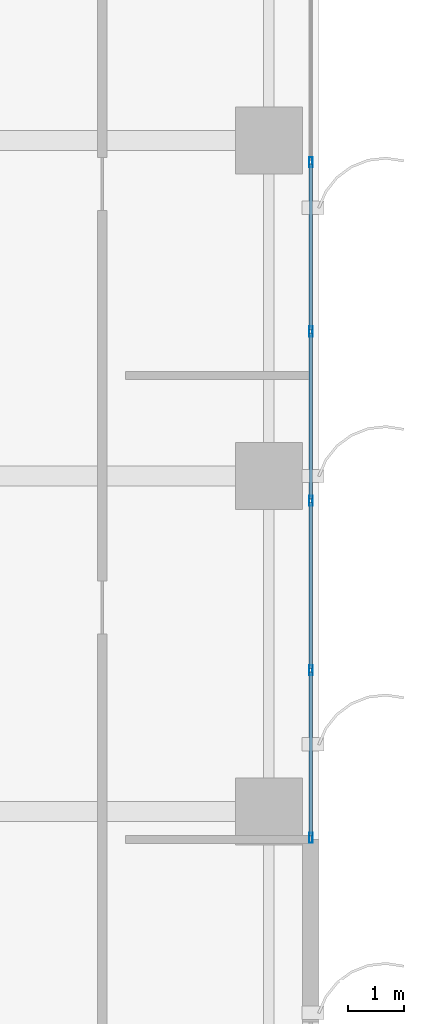
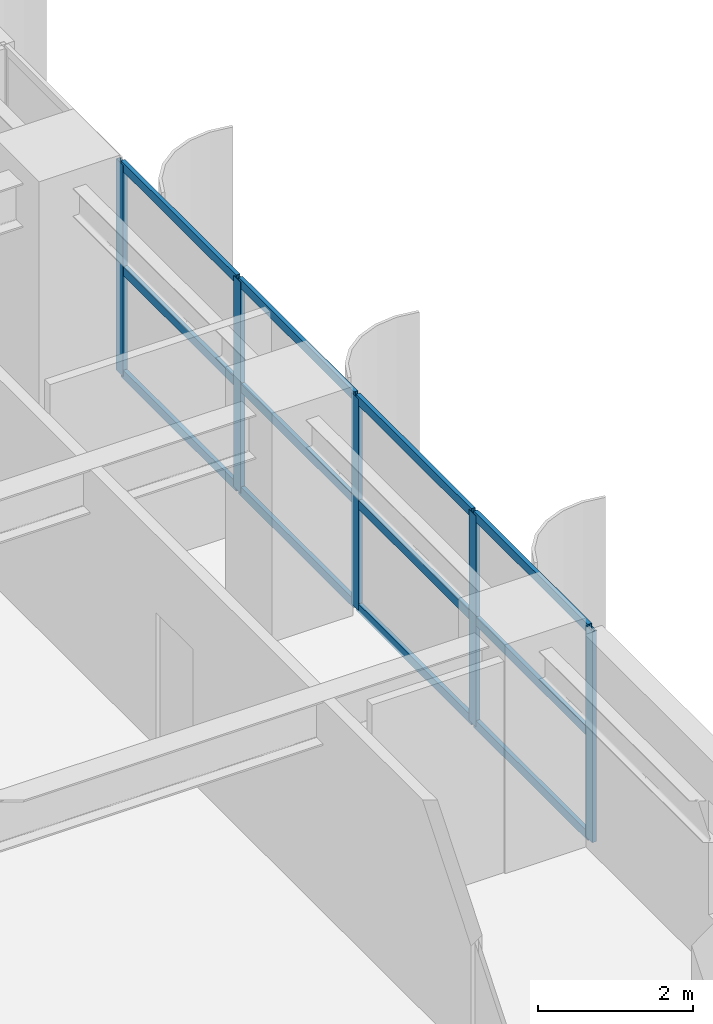
# One storey, part 9 of 25: 17 members, 1 element without a shape of its own.
"""IFC4 building model written with IfcOpenShell, lengths in metres."""

from ifc_helpers import new_model, si_unit, direction, frame, origin, origin_2d, place, context, subcontext, project, spatial, hollow_rectangle, extrude, source, transform, mapped, material, layer, layer_set, material_profile, profile_set, type_object, element, aggregate, save


model = new_model("IFC4")

# Units and contexts
model_context = context("Model", 3, precision=1e-05, world=origin(), true_north=direction((0.0, 1.0)))
body_context = subcontext(model_context, "Body", "Model", "MODEL_VIEW")
ifc_project = project(units=[si_unit("LENGTHUNIT", "METRE"), si_unit("AREAUNIT", "SQUARE_METRE"), si_unit("VOLUMEUNIT", "CUBIC_METRE"), si_unit("PLANEANGLEUNIT", "RADIAN"), si_unit("MASSUNIT", "GRAM", prefix="KILO")], contexts=[model_context])

# Site, building, storey
site_placement = place(None, origin())
site = spatial("IfcSite", under=ifc_project, at=site_placement, CompositionType="ELEMENT")
building_placement = place(site_placement, origin())
building = spatial("IfcBuilding", under=site, at=building_placement, Name="Khoralis Quay Care Tower", CompositionType="ELEMENT")
storey_placement = place(building_placement, frame((0.0, 0.0, 65.699951171875)))
storey = spatial("IfcBuildingStorey", under=building, at=storey_placement, Name="L17", CompositionType="ELEMENT", Elevation=65.699951171875)

# Curtain wall, members
ifc_material = material(Name="Pale anodised aluminium", Category="aluminium")
ifc_layer = layer(ifc_material, 0.179931640625)
ifc_layer_set = layer_set([ifc_layer], Name="Pale anodised aluminium")
curtain_wall_type = type_object("IfcCurtainWallType", Name="CW-SYS-Z1", PredefinedType="NOTDEFINED", material=ifc_layer_set)
curtain_wall_placement = place(storey_placement, origin())
curtain_wall = element("IfcCurtainWall", 1, at=curtain_wall_placement, inside=storey, type_object=curtain_wall_type, Name="L17 Unitised Curtain Wall CW-L17-P1-E5", PredefinedType="NOTDEFINED")
ifc_material_profile_1 = material_profile(ifc_material, hollow_rectangle(XDim=0.06494140625, YDim=0.179931640625, WallThickness=0.00390625, at=origin_2d()), Name="Pale anodised aluminium")
ifc_profile_set_1 = profile_set([ifc_material_profile_1], Name="Pale anodised aluminium")
member_type_1 = type_object("IfcMemberType", Name="CW-MUL-180", PredefinedType="MULLION", material=ifc_profile_set_1)
shared_shape_1 = source(origin(), body_context, "Body", "SweptSolid", [
    extrude(hollow_rectangle(XDim=0.06494140625, YDim=0.179931640625, WallThickness=0.00390625, at=origin_2d()), origin(), (0.0, 0.0, 1.0), 3.320068359375),
])
member_1_placement = place(storey_placement, frame((47.85009765625, 17.530029296875, 0.0), z_axis=(0.0, 0.0, 1.0), x_axis=(-1.0, 0.0, 0.0)))
member_1 = element("IfcMember", 2, at=member_1_placement, type_object=member_type_1, Name="CW1 mullion 1", PredefinedType="MULLION", context=body_context, shape_type="MappedRepresentation", body=[
    mapped(shared_shape_1, transform((0.0, 0.0, 0.0), scale=1.0)),
])
member_2_placement = place(storey_placement, frame((47.85009765625, 20.528076171875, 0.0), z_axis=(0.0, 0.0, 1.0), x_axis=(-1.0, 0.0, 0.0)))
member_2 = element("IfcMember", 3, at=member_2_placement, type_object=member_type_1, Name="CW1 mullion 2", PredefinedType="MULLION", context=body_context, shape_type="MappedRepresentation", body=[
    mapped(shared_shape_1, transform((0.0, 0.0, 0.0), scale=1.0)),
])
member_3_placement = place(storey_placement, frame((47.85009765625, 23.555908203125, 0.0), z_axis=(0.0, 0.0, 1.0), x_axis=(-1.0, 0.0, 0.0)))
member_3 = element("IfcMember", 4, at=member_3_placement, type_object=member_type_1, Name="CW1 mullion 3", PredefinedType="MULLION", context=body_context, shape_type="MappedRepresentation", body=[
    mapped(shared_shape_1, transform((0.0, 0.0, 0.0), scale=1.0)),
])
member_4_placement = place(storey_placement, frame((47.85009765625, 26.583984375, 0.0), z_axis=(0.0, 0.0, 1.0), x_axis=(-1.0, 0.0, 0.0)))
member_4 = element("IfcMember", 5, at=member_4_placement, type_object=member_type_1, Name="CW1 mullion 4", PredefinedType="MULLION", context=body_context, shape_type="MappedRepresentation", body=[
    mapped(shared_shape_1, transform((0.0, 0.0, 0.0), scale=1.0)),
])
member_5_placement = place(storey_placement, frame((47.85009765625, 29.612060546875, 0.0), z_axis=(0.0, 0.0, 1.0), x_axis=(-1.0, 0.0, 0.0)))
member_5 = element("IfcMember", 6, at=member_5_placement, type_object=member_type_1, Name="CW1 mullion 5", PredefinedType="MULLION", context=body_context, shape_type="MappedRepresentation", body=[
    mapped(shared_shape_1, transform((0.0, 0.0, 0.0), scale=1.0)),
])
ifc_material_profile_2 = material_profile(ifc_material, hollow_rectangle(XDim=0.06005859375, YDim=0.139892578125, WallThickness=0.00390625, at=origin_2d()), Name="Pale anodised aluminium")
ifc_profile_set_2 = profile_set([ifc_material_profile_2], Name="Pale anodised aluminium")
member_type_2 = type_object("IfcMemberType", Name="CW-TRN-140", PredefinedType="USERDEFINED", material=ifc_profile_set_2)
shared_shape_2 = source(origin(), body_context, "Body", "SweptSolid", [
    extrude(hollow_rectangle(XDim=0.06005859375, YDim=0.139892578125, WallThickness=0.00390625, at=origin_2d()), origin(), (0.0, 0.0, 1.0), 2.93798828125),
])
member_6_placement = place(storey_placement, frame((47.85009765625, 17.56005859375, 0.030029296875), z_axis=(0.0, 1.0, 0.0), x_axis=(-1.0, 0.0, 0.0)))
member_6 = element("IfcMember", 7, at=member_6_placement, type_object=member_type_2, Name="CW1 transom 1.1", ObjectType="TRANSOM", PredefinedType="USERDEFINED", context=body_context, shape_type="MappedRepresentation", body=[
    mapped(shared_shape_2, transform((0.0, 0.0, 0.0), scale=1.0)),
])
member_7_placement = place(storey_placement, frame((47.85009765625, 17.56005859375, 1.66015625), z_axis=(0.0, 1.0, 0.0), x_axis=(-1.0, 0.0, 0.0)))
member_7 = element("IfcMember", 8, at=member_7_placement, type_object=member_type_2, Name="CW1 transom 1.2", ObjectType="TRANSOM", PredefinedType="USERDEFINED", context=body_context, shape_type="MappedRepresentation", body=[
    mapped(shared_shape_2, transform((0.0, 0.0, 0.0), scale=1.0)),
])
member_8_placement = place(storey_placement, frame((47.85009765625, 17.56005859375, 3.2900390625), z_axis=(0.0, 1.0, 0.0), x_axis=(-1.0, 0.0, 0.0)))
member_8 = element("IfcMember", 9, at=member_8_placement, type_object=member_type_2, Name="CW1 transom 1.3", ObjectType="TRANSOM", PredefinedType="USERDEFINED", context=body_context, shape_type="MappedRepresentation", body=[
    mapped(shared_shape_2, transform((0.0, 0.0, 0.0), scale=1.0)),
])
shared_shape_3 = source(origin(), body_context, "Body", "SweptSolid", [
    extrude(hollow_rectangle(XDim=0.06005859375, YDim=0.139892578125, WallThickness=0.00390625, at=origin_2d()), origin(), (0.0, 0.0, 1.0), 2.9677734375),
])
member_9_placement = place(storey_placement, frame((47.85009765625, 20.55810546875, 0.030029296875), z_axis=(0.0, 1.0, 0.0), x_axis=(-1.0, 0.0, 0.0)))
member_9 = element("IfcMember", 10, at=member_9_placement, type_object=member_type_2, Name="CW1 transom 2.1", ObjectType="TRANSOM", PredefinedType="USERDEFINED", context=body_context, shape_type="MappedRepresentation", body=[
    mapped(shared_shape_3, transform((0.0, 0.0, 0.0), scale=1.0)),
])
member_10_placement = place(storey_placement, frame((47.85009765625, 20.55810546875, 1.66015625), z_axis=(0.0, 1.0, 0.0), x_axis=(-1.0, 0.0, 0.0)))
member_10 = element("IfcMember", 11, at=member_10_placement, type_object=member_type_2, Name="CW1 transom 2.2", ObjectType="TRANSOM", PredefinedType="USERDEFINED", context=body_context, shape_type="MappedRepresentation", body=[
    mapped(shared_shape_3, transform((0.0, 0.0, 0.0), scale=1.0)),
])
member_11_placement = place(storey_placement, frame((47.85009765625, 20.55810546875, 3.2900390625), z_axis=(0.0, 1.0, 0.0), x_axis=(-1.0, 0.0, 0.0)))
member_11 = element("IfcMember", 12, at=member_11_placement, type_object=member_type_2, Name="CW1 transom 2.3", ObjectType="TRANSOM", PredefinedType="USERDEFINED", context=body_context, shape_type="MappedRepresentation", body=[
    mapped(shared_shape_3, transform((0.0, 0.0, 0.0), scale=1.0)),
])
shared_shape_4 = source(origin(), body_context, "Body", "SweptSolid", [
    extrude(hollow_rectangle(XDim=0.06005859375, YDim=0.139892578125, WallThickness=0.00390625, at=origin_2d()), origin(), (0.0, 0.0, 1.0), 2.968017578125),
])
member_12_placement = place(storey_placement, frame((47.85009765625, 23.5859375, 0.030029296875), z_axis=(0.0, 1.0, 0.0), x_axis=(-1.0, 0.0, 0.0)))
member_12 = element("IfcMember", 13, at=member_12_placement, type_object=member_type_2, Name="CW1 transom 3.1", ObjectType="TRANSOM", PredefinedType="USERDEFINED", context=body_context, shape_type="MappedRepresentation", body=[
    mapped(shared_shape_4, transform((0.0, 0.0, 0.0), scale=1.0)),
])
member_13_placement = place(storey_placement, frame((47.85009765625, 23.5859375, 1.66015625), z_axis=(0.0, 1.0, 0.0), x_axis=(-1.0, 0.0, 0.0)))
member_13 = element("IfcMember", 14, at=member_13_placement, type_object=member_type_2, Name="CW1 transom 3.2", ObjectType="TRANSOM", PredefinedType="USERDEFINED", context=body_context, shape_type="MappedRepresentation", body=[
    mapped(shared_shape_4, transform((0.0, 0.0, 0.0), scale=1.0)),
])
member_14_placement = place(storey_placement, frame((47.85009765625, 23.5859375, 3.2900390625), z_axis=(0.0, 1.0, 0.0), x_axis=(-1.0, 0.0, 0.0)))
member_14 = element("IfcMember", 15, at=member_14_placement, type_object=member_type_2, Name="CW1 transom 3.3", ObjectType="TRANSOM", PredefinedType="USERDEFINED", context=body_context, shape_type="MappedRepresentation", body=[
    mapped(shared_shape_4, transform((0.0, 0.0, 0.0), scale=1.0)),
])
member_15_placement = place(storey_placement, frame((47.85009765625, 26.614013671875, 0.030029296875), z_axis=(0.0, 1.0, 0.0), x_axis=(-1.0, 0.0, 0.0)))
member_15 = element("IfcMember", 16, at=member_15_placement, type_object=member_type_2, Name="CW1 transom 4.1", ObjectType="TRANSOM", PredefinedType="USERDEFINED", context=body_context, shape_type="MappedRepresentation", body=[
    mapped(shared_shape_4, transform((0.0, 0.0, 0.0), scale=1.0)),
])
member_16_placement = place(storey_placement, frame((47.85009765625, 26.614013671875, 1.66015625), z_axis=(0.0, 1.0, 0.0), x_axis=(-1.0, 0.0, 0.0)))
member_16 = element("IfcMember", 17, at=member_16_placement, type_object=member_type_2, Name="CW1 transom 4.2", ObjectType="TRANSOM", PredefinedType="USERDEFINED", context=body_context, shape_type="MappedRepresentation", body=[
    mapped(shared_shape_4, transform((0.0, 0.0, 0.0), scale=1.0)),
])
member_17_placement = place(storey_placement, frame((47.85009765625, 26.614013671875, 3.2900390625), z_axis=(0.0, 1.0, 0.0), x_axis=(-1.0, 0.0, 0.0)))
member_17 = element("IfcMember", 18, at=member_17_placement, type_object=member_type_2, Name="CW1 transom 4.3", ObjectType="TRANSOM", PredefinedType="USERDEFINED", context=body_context, shape_type="MappedRepresentation", body=[
    mapped(shared_shape_4, transform((0.0, 0.0, 0.0), scale=1.0)),
])
aggregate(curtain_wall, [member_1, member_2, member_3, member_4, member_5, member_6, member_7, member_8, member_9, member_10, member_11, member_12, member_13, member_14, member_15, member_16, member_17])

save(model, "model.ifc")
